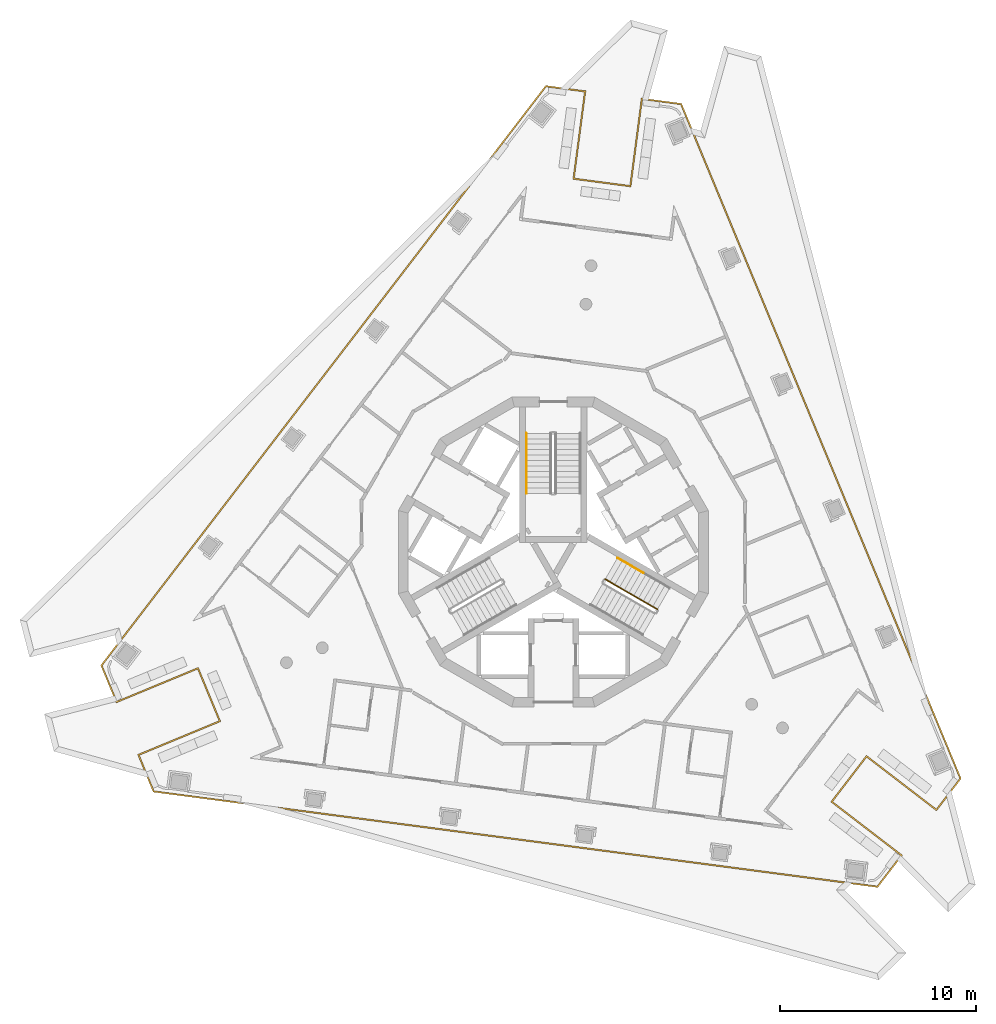
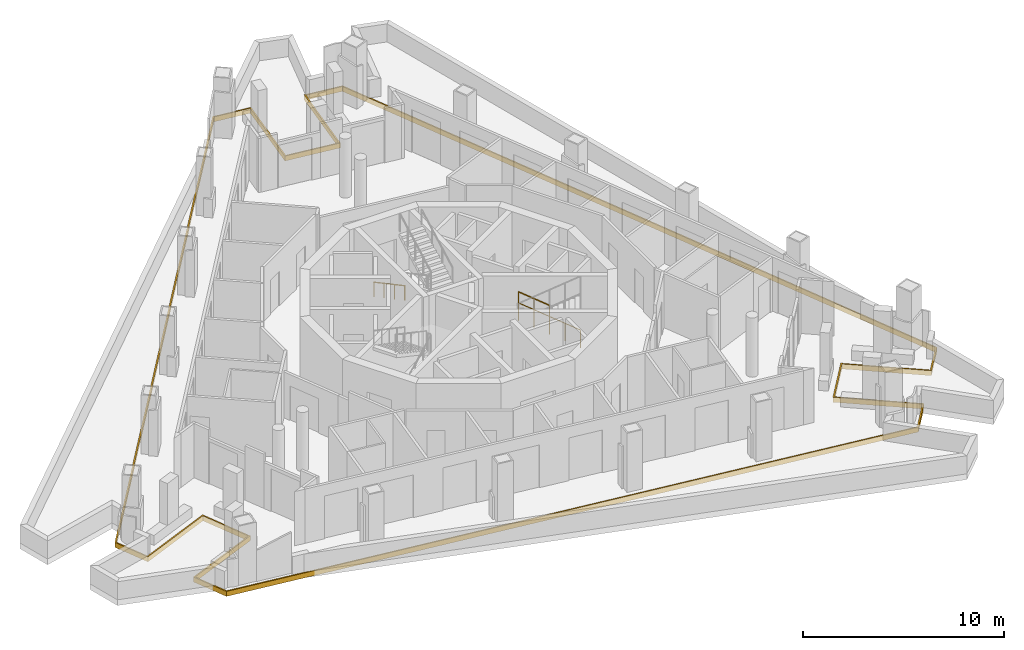
# One storey, part 9 of 12: 3 railings, 1 covering.
"""IFC4 building model written with IfcOpenShell, lengths in metres."""

from ifc_helpers import new_model, si_unit, direction, frame, origin, origin_2d, place, context, subcontext, project, spatial, polyline, circle, outline, extrude, material, layer, layer_set, type_object, element, save


model = new_model("IFC4")

# Units and contexts
model_context = context("Model", 3, precision=1e-05, world=origin(), true_north=direction((0.0, 1.0)))
body_context = subcontext(model_context, "Body", "Model", "MODEL_VIEW")
ifc_project = project(units=[si_unit("LENGTHUNIT", "METRE"), si_unit("AREAUNIT", "SQUARE_METRE"), si_unit("VOLUMEUNIT", "CUBIC_METRE"), si_unit("PLANEANGLEUNIT", "RADIAN"), si_unit("MASSUNIT", "GRAM", prefix="KILO")], contexts=[model_context])

# Site, building, storey
site_placement = place(None, origin())
site = spatial("IfcSite", under=ifc_project, at=site_placement, CompositionType="ELEMENT")
building_placement = place(site_placement, origin())
building = spatial("IfcBuilding", under=site, at=building_placement, Name="Trine Commons Tower", CompositionType="ELEMENT")
storey_placement = place(building_placement, frame((0.0, 0.0, 271.800048828125)))
storey = spatial("IfcBuildingStorey", under=building, at=storey_placement, Name="L71", CompositionType="ELEMENT", Elevation=271.800048828125)

# Covering
ifc_material_1 = material(Name="Limestone, honed", Category="masonry")
ifc_layer = layer(ifc_material_1, 0.074951171875)
ifc_layer_set = layer_set([ifc_layer], Name="Limestone, honed")
covering_type = type_object("IfcCoveringType", Name="Limestone spandrel panel 75", PredefinedType="CLADDING", material=ifc_layer_set)
covering_placement = place(storey_placement, frame((0.0, 0.0, -0.300048828125)))
element("IfcCovering", 1, at=covering_placement, inside=storey, type_object=covering_type, Name="Limestone spandrel panel 8-01", PredefinedType="CLADDING", context=body_context, shape_type="SweptSolid", body=[
    extrude(outline(polyline([(96.011962890625, 52.009765625), (99.58203125, 49.2705078125), (100.849609375, 50.92236328125), (86.556396484375, 85.429443359375), (84.49169921875, 85.701416015625), (83.904296875, 81.23974609375), (81.078857421875, 81.61181640625), (81.666259765625, 86.0732421875), (79.6015625, 86.34521484375), (56.8642578125, 56.713134765625), (57.6611328125, 54.789306640625), (61.818603515625, 56.511474609375), (62.9091796875, 53.87841796875), (58.751708984375, 52.15625), (59.548583984375, 50.232421875), (96.579345703125, 45.357177734375), (97.846923828125, 47.00927734375), (94.277099609375, 49.748779296875), (96.011962890625, 52.009765625)]), holes=[polyline([(84.556396484375, 85.6171875), (86.503662109375, 85.36083984375), (100.763916015625, 50.933837890625), (99.568115234375, 49.37548828125), (95.998046875, 52.114990234375), (94.171875, 49.73486328125), (97.741943359375, 46.99560546875), (96.546142578125, 45.437255859375), (59.601318359375, 50.301025390625), (58.849853515625, 52.11572265625), (63.007080078125, 53.837890625), (61.859130859375, 56.609375), (57.70166015625, 54.88720703125), (56.9501953125, 56.701904296875), (79.634765625, 86.26513671875), (81.58203125, 86.0087890625), (80.99462890625, 81.54736328125), (83.968994140625, 81.15576171875), (84.556396484375, 85.6171875)])]), origin(), (0.0, 0.0, 1.0), 0.300048828125),
])

# Railings
ifc_material_2 = material(Name="Stainless steel balustrade", Category="steel")
railing_type_1 = type_object("IfcRailingType", Name="Stair guard, steel balustrade 1100", PredefinedType="GUARDRAIL", material=ifc_material_2)
railing_1_placement = place(storey_placement, frame((85.31982421875, 59.572998046875, 0.14990234375)))
element("IfcRailing", 2, at=railing_1_placement, inside=storey, type_object=railing_type_1, Name="L71 ST3D stair guard 1", PredefinedType="GUARDRAIL", context=body_context, shape_type="SweptSolid", body=[
    extrude(circle(Radius=0.02392578125, at=origin_2d()), frame((0.0, 0.0, 1.076171875), z_axis=(-0.763379768245, 0.440728498818, 0.472239049384), x_axis=(-0.499992328818, -0.866029832698, 0.0)), (0.0, 0.0, 1.0), 3.494384765625),
    extrude(circle(Radius=0.02099609375, at=origin_2d()), origin(), (0.0, 0.0, 1.0), 1.052001953125),
    extrude(circle(Radius=0.02099609375, at=origin_2d()), frame((-0.6669921875, 0.385009765625, 0.41259765625)), (0.0, 0.0, 1.0), 1.052001953125),
    extrude(circle(Radius=0.02099609375, at=origin_2d()), frame((-1.333740234375, 0.77001953125, 0.8251953125)), (0.0, 0.0, 1.0), 1.052001953125),
    extrude(circle(Radius=0.02099609375, at=origin_2d()), frame((-2.00048828125, 1.155029296875, 1.237548828125)), (0.0, 0.0, 1.0), 1.052001953125),
    extrude(circle(Radius=0.02099609375, at=origin_2d()), frame((-2.66748046875, 1.5400390625, 1.650146484375)), (0.0, 0.0, 1.0), 1.052001953125),
])
ifc_material_3 = material(Name="Stainless steel handrail", Category="steel")
railing_type_2 = type_object("IfcRailingType", Name="Stair handrail, steel 900", PredefinedType="HANDRAIL", material=ifc_material_3)
railing_2_placement = place(storey_placement, frame((78.625, 68.570556640625, 0.14990234375)))
element("IfcRailing", 3, at=railing_2_placement, inside=storey, type_object=railing_type_2, Name="L71 ST1D stair handrail 1", PredefinedType="HANDRAIL", context=body_context, shape_type="SweptSolid", body=[
    extrude(circle(Radius=0.02099609375, at=origin_2d()), frame((0.0, 0.0, 0.87890625), z_axis=(0.0, -0.881467505477, 0.472244678941), x_axis=(1.0, 0.0, 0.0)), (0.0, 0.0, 1.0), 3.494140625),
    extrude(circle(Radius=0.01513671875, at=origin_2d()), origin(), (0.0, 0.0, 1.0), 0.85791015625),
    extrude(circle(Radius=0.01513671875, at=origin_2d()), frame((0.0, -1.026611328125, 0.550048828125)), (0.0, 0.0, 1.0), 0.85791015625),
    extrude(circle(Radius=0.01513671875, at=origin_2d()), frame((0.0, -2.053466796875, 1.10009765625)), (0.0, 0.0, 1.0), 0.85791015625),
    extrude(circle(Radius=0.01513671875, at=origin_2d()), frame((0.0, -3.080078125, 1.650146484375)), (0.0, 0.0, 1.0), 0.85791015625),
])
railing_3_placement = place(storey_placement, frame((84.611083984375, 61.425537109375, 0.974853515625)))
element("IfcRailing", 4, at=railing_3_placement, inside=storey, type_object=railing_type_2, Name="L71 ST3D stair handrail 2", PredefinedType="HANDRAIL", context=body_context, shape_type="SweptSolid", body=[
    extrude(circle(Radius=0.02099609375, at=origin_2d()), frame((0.0, 0.0, 0.87890625), z_axis=(-0.763354580307, 0.440713956853, 0.472293333596), x_axis=(-0.499992328818, -0.866029832698, 0.0)), (0.0, 0.0, 1.0), 1.747314453125),
    extrude(circle(Radius=0.01513671875, at=origin_2d()), origin(), (0.0, 0.0, 1.0), 0.85791015625),
    extrude(circle(Radius=0.01513671875, at=origin_2d()), frame((-0.6669921875, 0.385009765625, 0.41259765625)), (0.0, 0.0, 1.0), 0.85791015625),
    extrude(circle(Radius=0.01513671875, at=origin_2d()), frame((-1.333740234375, 0.77001953125, 0.8251953125)), (0.0, 0.0, 1.0), 0.85791015625),
])

save(model, "model.ifc")
